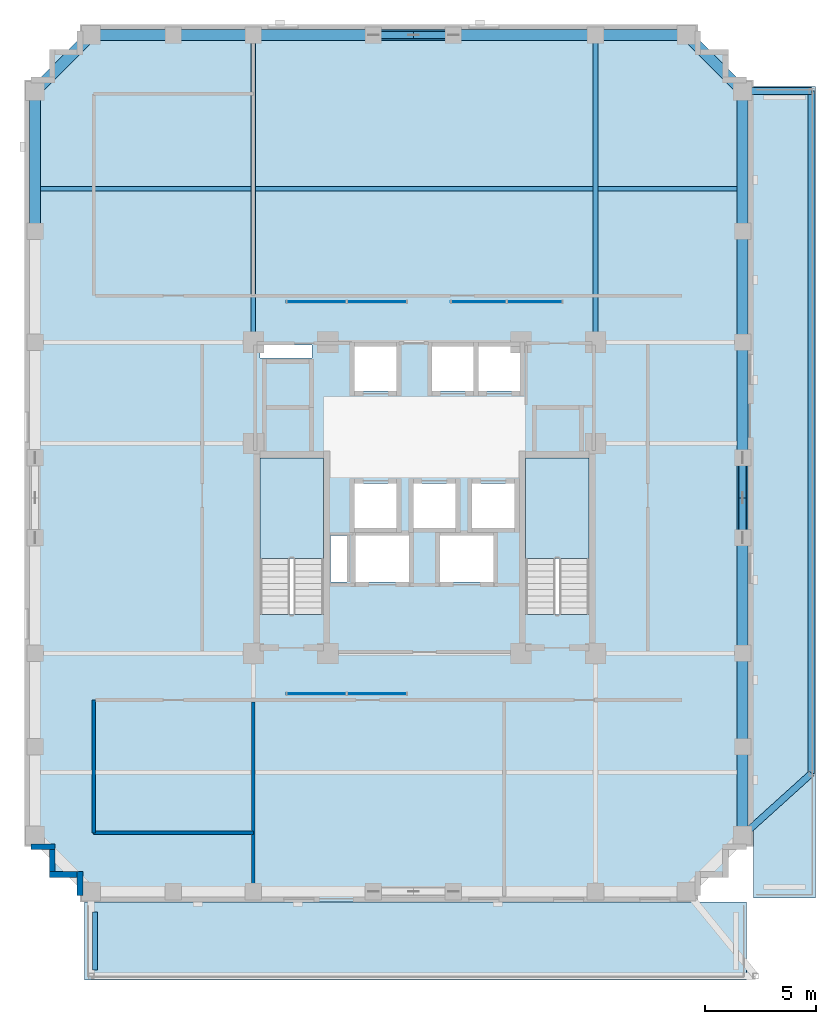
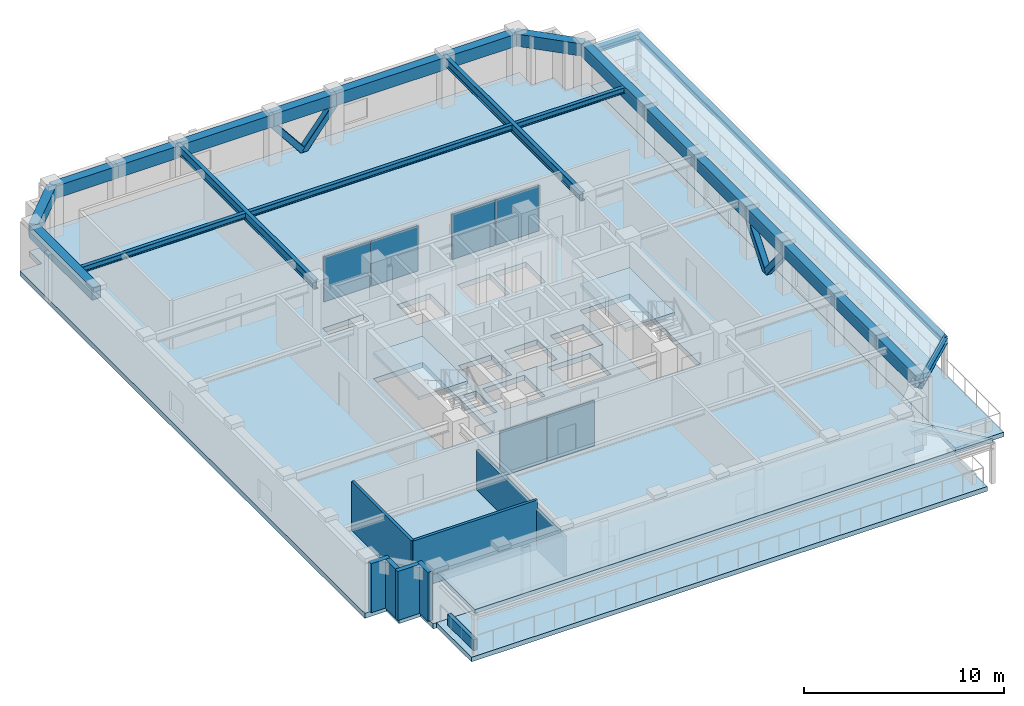
# One storey, part 7 of 15: 24 beams, 8 walls, 7 slabs, 6 plates, 4 members, 5 elements without a shape of their own.
"""IFC4 building model written with IfcOpenShell, lengths in metres."""

from ifc_helpers import new_model, si_unit, derived_unit, direction, frame, frame_2d, origin, origin_2d, place, context, subcontext, project, spatial, polyline, rectangle, hollow_rectangle, i_section, outline, extrude, material, layer, layer_set, material_profile, profile_set, type_object, element, aggregate, save


model = new_model("IFC4")

# Units and contexts
model_context = context("Model", 3, precision=1e-05, world=origin(), true_north=direction((0.0, 1.0)))
body_context = subcontext(model_context, "Body", "Model", "MODEL_VIEW")
ifc_project = project(units=[si_unit("LENGTHUNIT", "METRE"), si_unit("AREAUNIT", "SQUARE_METRE"), si_unit("VOLUMEUNIT", "CUBIC_METRE"), si_unit("PLANEANGLEUNIT", "RADIAN"), si_unit("MASSUNIT", "GRAM", prefix="KILO"), derived_unit("THERMALTRANSMITTANCEUNIT", [(si_unit("MASSUNIT", "GRAM", prefix="KILO"), 1), (si_unit("TIMEUNIT", "SECOND"), -3), (si_unit("THERMODYNAMICTEMPERATUREUNIT", "KELVIN"), -1)])], contexts=[model_context])

# Site, building, storey
site_placement = place(None, origin())
site = spatial("IfcSite", under=ifc_project, at=site_placement, CompositionType="ELEMENT")
building_placement = place(site_placement, origin())
building = spatial("IfcBuilding", under=site, at=building_placement, Name="Korrvale Station Residences", CompositionType="ELEMENT")
storey_placement = place(building_placement, frame((0.0, 0.0, 124.39990234375)))
storey = spatial("IfcBuildingStorey", under=building, at=storey_placement, Name="L35", CompositionType="ELEMENT", Elevation=124.39990234375)

# Beams
ifc_material_1 = material(Name="Steel S355", Category="steel")
ifc_material_profile_1 = material_profile(ifc_material_1, i_section(OverallWidth=0.214111328125, OverallDepth=0.549072265625, WebThickness=0.0146484375, FlangeThickness=0.023681640625, FilletRadius=0.01806640625, at=origin_2d()), Name="W530x138")
ifc_profile_set_1 = profile_set([ifc_material_profile_1], Name="Steel S355")
beam_type_1 = type_object("IfcBeamType", Name="BM-BM-W530x138-S355", PredefinedType="BEAM", material=ifc_profile_set_1)
for number, where, z_axis, x_axis, name in (
    (1, (17.800048828125, 29.0, 2.715576171875), (0.0, 1.0, 0.0), (-1.0, 0.0, 0.0), "L35 Bundled-Tube Web Girder 03"),
    (2, (33.199951171875, 29.0, 2.715576171875), (0.0, 1.0, 0.0), (-1.0, 0.0, 0.0), "L35 Bundled-Tube Web Girder 04"),
):
    element("IfcBeam", number, at=place(storey_placement, frame(where, z_axis=z_axis, x_axis=x_axis)), inside=storey, type_object=beam_type_1, Name=name, PredefinedType="BEAM", context=body_context, shape_type="SweptSolid", body=[
        extrude(i_section(OverallWidth=0.214111328125, OverallDepth=0.549072265625, WebThickness=0.0146484375, FlangeThickness=0.023681640625, FilletRadius=0.01806640625, at=origin_2d()), origin(), (0.0, 0.0, 1.0), 13.820068359375),
    ])
ifc_material_profile_2 = material_profile(ifc_material_1, i_section(OverallWidth=0.205078125, OverallDepth=0.35400390625, WebThickness=0.009521484375, FlangeThickness=0.016845703125, FilletRadius=0.014892578125, at=origin_2d()), Name="W360x79")
ifc_profile_set_2 = profile_set([ifc_material_profile_2], Name="Steel S355")
beam_type_2 = type_object("IfcBeamType", Name="BM-JST-W360x79-S355", PredefinedType="JOIST", material=ifc_profile_set_2)
beam_1_placement = place(storey_placement, frame((8.22998046875, 35.909912109375, 2.81298828125), z_axis=(1.0, 0.0, 0.0), x_axis=(0.0, 1.0, 0.0)))
element("IfcBeam", 3, at=beam_1_placement, inside=storey, type_object=beam_type_2, Name="L35 Floor Framing Joist 04", PredefinedType="JOIST", context=body_context, shape_type="SweptSolid", body=[
    extrude(i_section(OverallWidth=0.205078125, OverallDepth=0.35400390625, WebThickness=0.009521484375, FlangeThickness=0.016845703125, FilletRadius=0.014892578125, at=origin_2d()), origin(), (0.0, 0.0, 1.0), 9.463134765625),
])
beam_2_placement = place(storey_placement, frame((17.906982421875, 35.909912109375, 2.81298828125), z_axis=(1.0, 0.0, 0.0), x_axis=(0.0, 1.0, 0.0)))
element("IfcBeam", 4, at=beam_2_placement, inside=storey, type_object=beam_type_2, Name="L35 Floor Framing Joist 05", PredefinedType="JOIST", context=body_context, shape_type="SweptSolid", body=[
    extrude(i_section(OverallWidth=0.205078125, OverallDepth=0.35400390625, WebThickness=0.009521484375, FlangeThickness=0.016845703125, FilletRadius=0.014892578125, at=origin_2d()), origin(), (0.0, 0.0, 1.0), 15.18603515625),
])
beam_3_placement = place(storey_placement, frame((33.306884765625, 35.909912109375, 2.81298828125), z_axis=(1.0, 0.0, 0.0), x_axis=(0.0, 1.0, 0.0)))
element("IfcBeam", 5, at=beam_3_placement, inside=storey, type_object=beam_type_2, Name="L35 Floor Framing Joist 06", PredefinedType="JOIST", context=body_context, shape_type="SweptSolid", body=[
    extrude(i_section(OverallWidth=0.205078125, OverallDepth=0.35400390625, WebThickness=0.009521484375, FlangeThickness=0.016845703125, FilletRadius=0.014892578125, at=origin_2d()), origin(), (0.0, 0.0, 1.0), 6.26318359375),
])
ifc_material_2 = material(Name="Concrete C60/75", Category="concrete")
ifc_material_profile_3 = material_profile(ifc_material_2, rectangle(XDim=0.5, YDim=0.75, at=origin_2d()), Name="RCB500x750")
ifc_profile_set_3 = profile_set([ifc_material_profile_3], Name="Concrete C60/75")
beam_type_3 = type_object("IfcBeamType", Name="BM-SPB-RCB500x750-C6075", PredefinedType="SPANDREL", material=ifc_profile_set_3)
beam_4_placement = place(storey_placement, frame((10.5, 42.820068359375, 2.614990234375), z_axis=(1.0, 0.0, 0.0), x_axis=(0.0, 1.0, 0.0)))
element("IfcBeam", 6, at=beam_4_placement, inside=storey, type_object=beam_type_3, Name="L35 North Tube Spandrel 07", PredefinedType="SPANDREL", context=body_context, shape_type="SweptSolid", body=[
    extrude(rectangle(XDim=0.5, YDim=0.75, at=origin_2d()), origin(), (0.0, 0.0, 1.0), 3.699951171875),
])
beam_5_placement = place(storey_placement, frame((14.199951171875, 42.820068359375, 2.614990234375), z_axis=(1.0, 0.0, 0.0), x_axis=(0.0, 1.0, 0.0)))
element("IfcBeam", 7, at=beam_5_placement, inside=storey, type_object=beam_type_3, Name="L35 North Tube Spandrel 08", PredefinedType="SPANDREL", context=body_context, shape_type="SweptSolid", body=[
    extrude(rectangle(XDim=0.5, YDim=0.75, at=origin_2d()), origin(), (0.0, 0.0, 1.0), 3.60009765625),
])
beam_6_placement = place(storey_placement, frame((17.800048828125, 42.820068359375, 2.614990234375), z_axis=(1.0, 0.0, 0.0), x_axis=(0.0, 1.0, 0.0)))
element("IfcBeam", 8, at=beam_6_placement, inside=storey, type_object=beam_type_3, Name="L35 North Tube Spandrel 09", PredefinedType="SPANDREL", context=body_context, shape_type="SweptSolid", body=[
    extrude(rectangle(XDim=0.5, YDim=0.75, at=origin_2d()), origin(), (0.0, 0.0, 1.0), 5.39990234375),
])
beam_7_placement = place(storey_placement, frame((23.199951171875, 42.820068359375, 2.614990234375), z_axis=(1.0, 0.0, 0.0), x_axis=(0.0, 1.0, 0.0)))
element("IfcBeam", 9, at=beam_7_placement, inside=storey, type_object=beam_type_3, Name="L35 North Tube Spandrel 10", PredefinedType="SPANDREL", context=body_context, shape_type="SweptSolid", body=[
    extrude(rectangle(XDim=0.5, YDim=0.75, at=origin_2d()), origin(), (0.0, 0.0, 1.0), 3.60009765625),
])
beam_8_placement = place(storey_placement, frame((26.800048828125, 42.820068359375, 2.614990234375), z_axis=(1.0, 0.0, 0.0), x_axis=(0.0, 1.0, 0.0)))
element("IfcBeam", 10, at=beam_8_placement, inside=storey, type_object=beam_type_3, Name="L35 North Tube Spandrel 11", PredefinedType="SPANDREL", context=body_context, shape_type="SweptSolid", body=[
    extrude(rectangle(XDim=0.5, YDim=0.75, at=origin_2d()), origin(), (0.0, 0.0, 1.0), 6.39990234375),
])
beam_9_placement = place(storey_placement, frame((33.199951171875, 42.820068359375, 2.614990234375), z_axis=(1.0, 0.0, 0.0), x_axis=(0.0, 1.0, 0.0)))
element("IfcBeam", 11, at=beam_9_placement, inside=storey, type_object=beam_type_3, Name="L35 North Tube Spandrel 12", PredefinedType="SPANDREL", context=body_context, shape_type="SweptSolid", body=[
    extrude(rectangle(XDim=0.5, YDim=0.75, at=origin_2d()), origin(), (0.0, 0.0, 1.0), 4.10009765625),
])
beam_10_placement = place(storey_placement, frame((7.97998046875, 34.0, 2.614990234375), z_axis=(0.0, 1.0, 0.0), x_axis=(-1.0, 0.0, 0.0)))
element("IfcBeam", 12, at=beam_10_placement, inside=storey, type_object=beam_type_3, Name="L35 West Tube Spandrel 19", PredefinedType="SPANDREL", context=body_context, shape_type="SweptSolid", body=[
    extrude(rectangle(XDim=0.5, YDim=0.75, at=origin_2d()), origin(), (0.0, 0.0, 1.0), 6.300048828125),
])
beam_11_placement = place(storey_placement, frame((39.820068359375, 6.800048828125, 2.614990234375), z_axis=(0.0, 1.0, 0.0), x_axis=(-1.0, 0.0, 0.0)))
element("IfcBeam", 13, at=beam_11_placement, inside=storey, type_object=beam_type_3, Name="L35 East Tube Spandrel 20", PredefinedType="SPANDREL", context=body_context, shape_type="SweptSolid", body=[
    extrude(rectangle(XDim=0.5, YDim=0.75, at=origin_2d()), origin(), (0.0, 0.0, 1.0), 4.0),
])
beam_12_placement = place(storey_placement, frame((39.820068359375, 10.800048828125, 2.614990234375), z_axis=(0.0, 1.0, 0.0), x_axis=(-1.0, 0.0, 0.0)))
element("IfcBeam", 14, at=beam_12_placement, inside=storey, type_object=beam_type_3, Name="L35 East Tube Spandrel 21", PredefinedType="SPANDREL", context=body_context, shape_type="SweptSolid", body=[
    extrude(rectangle(XDim=0.5, YDim=0.75, at=origin_2d()), origin(), (0.0, 0.0, 1.0), 4.199951171875),
])
beam_13_placement = place(storey_placement, frame((39.820068359375, 15.0, 2.614990234375), z_axis=(0.0, 1.0, 0.0), x_axis=(-1.0, 0.0, 0.0)))
element("IfcBeam", 15, at=beam_13_placement, inside=storey, type_object=beam_type_3, Name="L35 East Tube Spandrel 22", PredefinedType="SPANDREL", context=body_context, shape_type="SweptSolid", body=[
    extrude(rectangle(XDim=0.5, YDim=0.75, at=origin_2d()), origin(), (0.0, 0.0, 1.0), 5.199951171875),
])
beam_14_placement = place(storey_placement, frame((39.820068359375, 20.199951171875, 2.614990234375), z_axis=(0.0, 1.0, 0.0), x_axis=(-1.0, 0.0, 0.0)))
element("IfcBeam", 16, at=beam_14_placement, inside=storey, type_object=beam_type_3, Name="L35 East Tube Spandrel 23", PredefinedType="SPANDREL", context=body_context, shape_type="SweptSolid", body=[
    extrude(rectangle(XDim=0.5, YDim=0.75, at=origin_2d()), origin(), (0.0, 0.0, 1.0), 3.60009765625),
])
beam_15_placement = place(storey_placement, frame((39.820068359375, 23.800048828125, 2.614990234375), z_axis=(0.0, 1.0, 0.0), x_axis=(-1.0, 0.0, 0.0)))
element("IfcBeam", 17, at=beam_15_placement, inside=storey, type_object=beam_type_3, Name="L35 East Tube Spandrel 24", PredefinedType="SPANDREL", context=body_context, shape_type="SweptSolid", body=[
    extrude(rectangle(XDim=0.5, YDim=0.75, at=origin_2d()), origin(), (0.0, 0.0, 1.0), 5.199951171875),
])
beam_16_placement = place(storey_placement, frame((39.820068359375, 29.0, 2.614990234375), z_axis=(0.0, 1.0, 0.0), x_axis=(-1.0, 0.0, 0.0)))
element("IfcBeam", 18, at=beam_16_placement, inside=storey, type_object=beam_type_3, Name="L35 East Tube Spandrel 25", PredefinedType="SPANDREL", context=body_context, shape_type="SweptSolid", body=[
    extrude(rectangle(XDim=0.5, YDim=0.75, at=origin_2d()), origin(), (0.0, 0.0, 1.0), 5.0),
])
beam_17_placement = place(storey_placement, frame((39.820068359375, 34.0, 2.614990234375), z_axis=(0.0, 1.0, 0.0), x_axis=(-1.0, 0.0, 0.0)))
element("IfcBeam", 19, at=beam_17_placement, inside=storey, type_object=beam_type_3, Name="L35 East Tube Spandrel 26", PredefinedType="SPANDREL", context=body_context, shape_type="SweptSolid", body=[
    extrude(rectangle(XDim=0.5, YDim=0.75, at=origin_2d()), origin(), (0.0, 0.0, 1.0), 6.300048828125),
])
for number, where, z_axis, x_axis, name in (
    (20, (37.300048828125, 42.820068359375, 2.614990234375), (0.707106781187, -0.707106781187, 0.0), (0.707106781187, 0.707106781187, 0.0), "L35 Serrated Corner Spandrel 29"),
    (21, (10.5, 42.820068359375, 2.614990234375), (-0.707106781187, -0.707106781187, 0.0), (0.707106781187, -0.707106781187, 0.0), "L35 Serrated Corner Spandrel 30"),
):
    element("IfcBeam", number, at=place(storey_placement, frame(where, z_axis=z_axis, x_axis=x_axis)), inside=storey, type_object=beam_type_3, Name=name, PredefinedType="SPANDREL", context=body_context, shape_type="SweptSolid", body=[
        extrude(rectangle(XDim=0.5, YDim=0.75, at=origin_2d()), origin(), (0.0, 0.0, 1.0), 3.56396484375),
    ])
ifc_material_profile_4 = material_profile(ifc_material_1, i_section(OverallWidth=0.304931640625, OverallDepth=0.30810546875, WebThickness=0.010009765625, FlangeThickness=0.015380859375, FilletRadius=0.014892578125, at=origin_2d()), Name="W310x97")
ifc_profile_set_4 = profile_set([ifc_material_profile_4], Name="Steel S355")
beam_type_4 = type_object("IfcBeamType", Name="BM-SPB-W310x97-S355", PredefinedType="SPANDREL", material=ifc_profile_set_4)
beam_18_placement = place(storey_placement, frame((42.919921875, 9.60009765625, 2.296142578125), z_axis=(0.0, 1.0, 0.0), x_axis=(-1.0, 0.0, 0.0)))
element("IfcBeam", 22, at=beam_18_placement, inside=storey, type_object=beam_type_4, Name="L35 Setback Canopy Edge Beam 1", PredefinedType="SPANDREL", context=body_context, shape_type="SweptSolid", body=[
    extrude(i_section(OverallWidth=0.304931640625, OverallDepth=0.30810546875, WebThickness=0.010009765625, FlangeThickness=0.015380859375, FilletRadius=0.014892578125, at=origin_2d()), origin(), (0.0, 0.0, 1.0), 30.699951171875),
])
beam_19_placement = place(storey_placement, frame((42.919921875, 9.60009765625, 2.296142578125), z_axis=(-0.742081072837, -0.670310138172, 0.0), x_axis=(0.670310138172, -0.742081072837, 0.0)))
element("IfcBeam", 23, at=beam_19_placement, inside=storey, type_object=beam_type_4, Name="L35 Setback Canopy Edge Beam 2", PredefinedType="SPANDREL", context=body_context, shape_type="SweptSolid", body=[
    extrude(i_section(OverallWidth=0.304931640625, OverallDepth=0.30810546875, WebThickness=0.010009765625, FlangeThickness=0.015380859375, FilletRadius=0.014892578125, at=origin_2d()), origin(), (0.0, 0.0, 1.0), 4.17724609375),
])
beam_20_placement = place(storey_placement, frame((42.919921875, 40.300048828125, 2.296142578125), z_axis=(-1.0, 0.0, 0.0), x_axis=(0.0, -1.0, 0.0)))
element("IfcBeam", 24, at=beam_20_placement, inside=storey, type_object=beam_type_4, Name="L35 Setback Canopy Edge Beam 3", PredefinedType="SPANDREL", context=body_context, shape_type="SweptSolid", body=[
    extrude(i_section(OverallWidth=0.304931640625, OverallDepth=0.30810546875, WebThickness=0.010009765625, FlangeThickness=0.015380859375, FilletRadius=0.014892578125, at=origin_2d()), origin(), (0.0, 0.0, 1.0), 3.099853515625),
])

# Members
ifc_material_profile_5 = material_profile(ifc_material_1, hollow_rectangle(XDim=0.355712890625, YDim=0.355712890625, WallThickness=0.015869140625, InnerFilletRadius=0.015869140625, OuterFilletRadius=0.03173828125, at=origin_2d()), Name="HSS356x356x16")
ifc_profile_set_5 = profile_set([ifc_material_profile_5], Name="Steel S355")
member_type = type_object("IfcMemberType", Name="MBR-BR-HSS356x356x16", PredefinedType="BRACE", material=ifc_profile_set_5)
for number, where, z_axis, x_axis, name in (
    (25, (25.0, 42.820068359375, 0.02001953125), (-0.62640309239, 0.0, 0.779499304582), (0.0, -1.0, 0.0), "L35 N Perimeter Tube Wind Brace 1"),
    (26, (25.0, 42.820068359375, 0.02001953125), (0.62640309239, 0.0, 0.779499304582), (0.0, 1.0, 0.0), "L35 N Perimeter Tube Wind Brace 2"),
    (27, (39.820068359375, 22.0, 0.02001953125), (0.0, -0.62640309239, 0.779499304582), (1.0, 0.0, 0.0), "L35 E Perimeter Tube Wind Brace 1"),
    (28, (39.820068359375, 22.0, 0.02001953125), (0.0, 0.62640309239, 0.779499304582), (-1.0, 0.0, 0.0), "L35 E Perimeter Tube Wind Brace 2"),
):
    element("IfcMember", number, at=place(storey_placement, frame(where, z_axis=z_axis, x_axis=x_axis)), inside=storey, type_object=member_type, Name=name, PredefinedType="BRACE", context=body_context, shape_type="SweptSolid", body=[
        extrude(hollow_rectangle(XDim=0.355712890625, YDim=0.355712890625, WallThickness=0.015869140625, InnerFilletRadius=0.015869140625, OuterFilletRadius=0.03173828125, at=origin_2d()), origin(), (0.0, 0.0, 1.0), 2.87353515625),
    ])

# Curtain wall, plates
ifc_material_3 = material(Name="Unitised thermally broken aluminium curtain wall with triple low-e IGU", Category="aluminium")
curtain_wall_type = type_object("IfcCurtainWallType", Name="CW-SKY-L35", PredefinedType="NOTDEFINED", material=ifc_material_3)
curtain_wall_1_placement = place(storey_placement, origin())
curtain_wall_1 = element("IfcCurtainWall", 29, at=curtain_wall_1_placement, inside=storey, type_object=curtain_wall_type, Name="L35 Curtain Wall CW4-RUN-1", PredefinedType="NOTDEFINED")
ifc_material_4 = material(Name="Triple-glazed low-e argon insulated glass unit", Category="glass")
ifc_layer_1 = layer(ifc_material_4, 0.035888671875, Name="Triple-glazed low-e argon insulated glass unit")
ifc_layer_set_1 = layer_set([ifc_layer_1], Name="Triple-glazed low-e argon insulated glass unit")
plate_type = type_object("IfcPlateType", Name="CW-SKY-L35-P", PredefinedType="CURTAIN_PANEL", material=ifc_layer_set_1)
plate_1_placement = place(storey_placement, frame((20.625, 30.820068359375, 0.02783203125), z_axis=(0.0, 0.0, 1.0), x_axis=(1.0, 0.0, 0.0)))
plate_1 = element("IfcPlate", 30, at=plate_1_placement, type_object=plate_type, Name="CW-SKY-L35 Glazing Panel 1-1", PredefinedType="CURTAIN_PANEL", context=body_context, shape_type="SweptSolid", body=[
    extrude(rectangle(XDim=2.695068359375, YDim=0.035888671875, at=origin_2d()), origin(), (0.0, 0.0, 1.0), 2.764892578125),
])
plate_2_placement = place(storey_placement, frame((23.375, 30.820068359375, 0.02783203125), z_axis=(0.0, 0.0, 1.0), x_axis=(1.0, 0.0, 0.0)))
plate_2 = element("IfcPlate", 31, at=plate_2_placement, type_object=plate_type, Name="CW-SKY-L35 Glazing Panel 2-1", PredefinedType="CURTAIN_PANEL", context=body_context, shape_type="SweptSolid", body=[
    extrude(rectangle(XDim=2.695068359375, YDim=0.035888671875, at=origin_2d()), origin(), (0.0, 0.0, 1.0), 2.764892578125),
])
aggregate(curtain_wall_1, [plate_1, plate_2])

curtain_wall_2_placement = place(storey_placement, origin())
curtain_wall_2 = element("IfcCurtainWall", 32, at=curtain_wall_2_placement, inside=storey, type_object=curtain_wall_type, Name="L35 Curtain Wall CW4-RUN-2", PredefinedType="NOTDEFINED")
plate_3_placement = place(storey_placement, frame((27.925048828125, 30.820068359375, 0.02783203125), z_axis=(0.0, 0.0, 1.0), x_axis=(1.0, 0.0, 0.0)))
plate_3 = element("IfcPlate", 33, at=plate_3_placement, type_object=plate_type, Name="CW-SKY-L35 Glazing Panel 1-1", PredefinedType="CURTAIN_PANEL", context=body_context, shape_type="SweptSolid", body=[
    extrude(rectangle(XDim=2.4951171875, YDim=0.035888671875, at=origin_2d()), origin(), (0.0, 0.0, 1.0), 2.764892578125),
])
plate_4_placement = place(storey_placement, frame((30.47509765625, 30.820068359375, 0.02783203125), z_axis=(0.0, 0.0, 1.0), x_axis=(1.0, 0.0, 0.0)))
plate_4 = element("IfcPlate", 34, at=plate_4_placement, type_object=plate_type, Name="CW-SKY-L35 Glazing Panel 2-1", PredefinedType="CURTAIN_PANEL", context=body_context, shape_type="SweptSolid", body=[
    extrude(rectangle(XDim=2.4951171875, YDim=0.035888671875, at=origin_2d()), origin(), (0.0, 0.0, 1.0), 2.764892578125),
])
aggregate(curtain_wall_2, [plate_3, plate_4])

curtain_wall_3_placement = place(storey_placement, origin())
curtain_wall_3 = element("IfcCurtainWall", 35, at=curtain_wall_3_placement, inside=storey, type_object=curtain_wall_type, Name="L35 Curtain Wall CW4-RUN-3", PredefinedType="NOTDEFINED")
plate_5_placement = place(storey_placement, frame((20.625, 13.179931640625, 0.02783203125), z_axis=(0.0, 0.0, 1.0), x_axis=(1.0, 0.0, 0.0)))
plate_5 = element("IfcPlate", 36, at=plate_5_placement, type_object=plate_type, Name="CW-SKY-L35 Glazing Panel 1-1", PredefinedType="CURTAIN_PANEL", context=body_context, shape_type="SweptSolid", body=[
    extrude(rectangle(XDim=2.695068359375, YDim=0.035888671875, at=origin_2d()), origin(), (0.0, 0.0, 1.0), 2.764892578125),
])
plate_6_placement = place(storey_placement, frame((23.375, 13.179931640625, 0.02783203125), z_axis=(0.0, 0.0, 1.0), x_axis=(1.0, 0.0, 0.0)))
plate_6 = element("IfcPlate", 37, at=plate_6_placement, type_object=plate_type, Name="CW-SKY-L35 Glazing Panel 2-1", PredefinedType="CURTAIN_PANEL", context=body_context, shape_type="SweptSolid", body=[
    extrude(rectangle(XDim=2.695068359375, YDim=0.035888671875, at=origin_2d()), origin(), (0.0, 0.0, 1.0), 2.764892578125),
])
aggregate(curtain_wall_3, [plate_5, plate_6])

# Slab
ifc_material_5 = material(Name="Concrete C50/60", Category="concrete")
ifc_layer_2 = layer(ifc_material_5, 0.320068359375, Name="Concrete C50/60")
ifc_layer_set_2 = layer_set([ifc_layer_2], Name="Concrete C50/60")
slab_type_1 = type_object("IfcSlabType", Name="SLB-FLR-320", PredefinedType="FLOOR", material=ifc_layer_set_2)
slab_1_placement = place(storey_placement, frame((0.0, 0.0, -0.31982421875)))
element("IfcSlab", 38, at=slab_1_placement, inside=storey, type_object=slab_type_1, Name="L35 Suspended Structural Floor Slab", PredefinedType="FLOOR", context=body_context, shape_type="SweptSolid", body=[
    extrude(outline(polyline([(10.0, 3.800048828125), (37.800048828125, 3.800048828125), (37.800048828125, 5.050048828125), (39.050048828125, 5.050048828125), (39.050048828125, 6.300048828125), (40.300048828125, 6.300048828125), (40.300048828125, 40.800048828125), (39.050048828125, 40.800048828125), (39.050048828125, 42.050048828125), (37.800048828125, 42.050048828125), (37.800048828125, 43.300048828125), (10.0, 43.300048828125), (10.0, 42.050048828125), (8.75, 42.050048828125), (8.75, 40.800048828125), (7.5, 40.800048828125), (7.5, 6.300048828125), (8.75, 6.300048828125), (8.75, 5.050048828125), (10.0, 5.050048828125), (10.0, 3.800048828125)]), holes=[polyline([(20.949951171875, 16.751953125), (20.949951171875, 23.800048828125), (18.10009765625, 23.800048828125), (18.10009765625, 16.751953125), (20.949951171875, 16.751953125)]), polyline([(32.89990234375, 16.751953125), (32.89990234375, 23.800048828125), (30.050048828125, 23.800048828125), (30.050048828125, 16.751953125), (32.89990234375, 16.751953125)]), polyline([(22.35009765625, 26.800048828125), (24.25, 26.800048828125), (24.25, 28.800048828125), (22.35009765625, 28.800048828125), (22.35009765625, 26.800048828125)]), polyline([(25.85009765625, 26.800048828125), (27.7099609375, 26.800048828125), (27.7099609375, 28.800048828125), (25.85009765625, 28.800048828125), (25.85009765625, 26.800048828125)]), polyline([(27.929931640625, 26.800048828125), (29.7900390625, 26.800048828125), (29.7900390625, 28.800048828125), (27.929931640625, 28.800048828125), (27.929931640625, 26.800048828125)]), polyline([(22.35009765625, 20.64990234375), (24.25, 20.64990234375), (24.25, 22.64990234375), (22.35009765625, 22.64990234375), (22.35009765625, 20.64990234375)]), polyline([(25.0, 20.64990234375), (26.89990234375, 20.64990234375), (26.89990234375, 22.64990234375), (25.0, 22.64990234375), (25.0, 20.64990234375)]), polyline([(27.64990234375, 20.64990234375), (29.550048828125, 20.64990234375), (29.550048828125, 22.64990234375), (27.64990234375, 22.64990234375), (27.64990234375, 20.64990234375)]), polyline([(22.39990234375, 18.199951171875), (24.800048828125, 18.199951171875), (24.800048828125, 20.300048828125), (22.39990234375, 20.300048828125), (22.39990234375, 18.199951171875)]), polyline([(26.199951171875, 18.199951171875), (28.60009765625, 18.199951171875), (28.60009765625, 20.300048828125), (26.199951171875, 20.300048828125), (26.199951171875, 18.199951171875)]), polyline([(18.10009765625, 28.280029296875), (20.449951171875, 28.280029296875), (20.449951171875, 28.8798828125), (18.10009765625, 28.8798828125), (18.10009765625, 28.280029296875)]), polyline([(21.280029296875, 18.199951171875), (22.02001953125, 18.199951171875), (22.02001953125, 20.300048828125), (21.280029296875, 20.300048828125), (21.280029296875, 18.199951171875)])]), origin(), (0.0, 0.0, 1.0), 0.31982421875),
])

# Stair, slab
stair_type = type_object("IfcStairType", Name="STR-DL-1350-20R-1625", PredefinedType="HALF_TURN_STAIR", material=ifc_material_5)
stair_1_placement = place(storey_placement, origin())
stair_1 = element("IfcStair", 39, at=stair_1_placement, inside=storey, type_object=stair_type, Name="L35 Exit Stair 1", PredefinedType="HALF_TURN_STAIR")
ifc_layer_3 = layer(ifc_material_5, 0.199951171875, Name="Concrete C50/60")
ifc_layer_set_3 = layer_set([ifc_layer_3], Name="Concrete C50/60")
slab_type_2 = type_object("IfcSlabType", Name="SLB-LND-200", PredefinedType="LANDING", material=ifc_layer_set_3)
slab_2_placement = place(storey_placement, frame((0.0, 0.0, 1.425048828125)))
slab_2 = element("IfcSlab", 40, at=slab_2_placement, type_object=slab_type_2, Name="ST-1 landing 1", PredefinedType="LANDING", context=body_context, shape_type="SweptSolid", body=[
    extrude(outline(polyline([(20.949951171875, 19.27001953125), (20.949951171875, 23.800048828125), (18.10009765625, 23.800048828125), (18.10009765625, 19.27001953125), (20.949951171875, 19.27001953125)])), origin(), (0.0, 0.0, 1.0), 0.199951171875),
])
aggregate(stair_1, [slab_2])

stair_2_placement = place(storey_placement, origin())
stair_2 = element("IfcStair", 41, at=stair_2_placement, inside=storey, type_object=stair_type, Name="L35 Exit Stair 2", PredefinedType="HALF_TURN_STAIR")
slab_3_placement = place(storey_placement, frame((0.0, 0.0, 1.425048828125)))
slab_3 = element("IfcSlab", 42, at=slab_3_placement, type_object=slab_type_2, Name="ST-2 landing 1", PredefinedType="LANDING", context=body_context, shape_type="SweptSolid", body=[
    extrude(outline(polyline([(32.89990234375, 19.27001953125), (32.89990234375, 23.800048828125), (30.050048828125, 23.800048828125), (30.050048828125, 19.27001953125), (32.89990234375, 19.27001953125)])), origin(), (0.0, 0.0, 1.0), 0.199951171875),
])
aggregate(stair_2, [slab_3])

# Slabs
ifc_layer_4 = layer(ifc_material_5, 0.300048828125, Name="Concrete C50/60")
ifc_layer_set_4 = layer_set([ifc_layer_4], Name="Concrete C50/60")
slab_type_3 = type_object("IfcSlabType", Name="SLB-ROOF-300", PredefinedType="ROOF", material=ifc_layer_set_4)
slab_4_placement = place(storey_placement, frame((0.0, 0.0, 2.4501953125)))
element("IfcSlab", 43, at=slab_4_placement, inside=storey, type_object=slab_type_3, Name="L35 Frame-Carried Setback Terrace Roof Deck TER-L35-S", PredefinedType="ROOF", context=body_context, shape_type="SweptSolid", body=[
    extrude(outline(polyline([(10.5, 0.47998046875), (40.39990234375, 0.47998046875), (37.300048828125, 4.280029296875), (10.5, 4.280029296875), (10.5, 0.47998046875)])), origin(), (0.0, 0.0, 1.0), 0.25),
])
slab_5_placement = place(storey_placement, frame((0.0, 0.0, 2.4501953125)))
element("IfcSlab", 44, at=slab_5_placement, inside=storey, type_object=slab_type_3, Name="L35 Frame-Carried Setback Terrace Roof Deck TER-L35-E", PredefinedType="ROOF", context=body_context, shape_type="SweptSolid", body=[
    extrude(outline(polyline([(42.919921875, 9.60009765625), (42.919921875, 40.300048828125), (39.820068359375, 40.300048828125), (39.820068359375, 6.800048828125), (42.919921875, 9.60009765625)])), origin(), (0.0, 0.0, 1.0), 0.25),
])
ifc_layer_5 = layer(ifc_material_5, 0.280029296875, Name="Concrete C50/60")
ifc_layer_set_5 = layer_set([ifc_layer_5], Name="Concrete C50/60")
slab_type_4 = type_object("IfcSlabType", Name="SLB-TER-280", PredefinedType="FLOOR", material=ifc_layer_set_5)
slab_6_placement = place(storey_placement, frame((0.0, 0.0, -0.27978515625)))
element("IfcSlab", 45, at=slab_6_placement, inside=storey, type_object=slab_type_4, Name="L35 Outdoor Setback Terrace Slab TER-L35-S", PredefinedType="FLOOR", context=body_context, shape_type="SweptSolid", body=[
    extrude(outline(polyline([(10.199951171875, 0.300048828125), (40.0, 0.300048828125), (40.0, 3.800048828125), (10.199951171875, 3.800048828125), (10.199951171875, 0.300048828125)])), origin(), (0.0, 0.0, 1.0), 0.27978515625),
])
slab_7_placement = place(storey_placement, frame((0.0, 0.0, -0.27978515625)))
element("IfcSlab", 46, at=slab_7_placement, inside=storey, type_object=slab_type_4, Name="L35 Outdoor Setback Terrace Slab TER-L35-E", PredefinedType="FLOOR", context=body_context, shape_type="SweptSolid", body=[
    extrude(outline(polyline([(40.300048828125, 4.0), (43.10009765625, 4.0), (43.10009765625, 40.5), (40.300048828125, 40.5), (40.300048828125, 4.0)])), origin(), (0.0, 0.0, 1.0), 0.27978515625),
])

# Walls
ifc_material_6 = material(Name="Precast concrete C45/55", Category="concrete")
ifc_layer_6 = layer(ifc_material_6, 0.260009765625, Name="Precast concrete C45/55")
ifc_layer_set_6 = layer_set([ifc_layer_6], Name="Precast concrete C45/55")
wall_type_1 = type_object("IfcWallType", Name="WAL-EXT-LOG260", PredefinedType="SOLIDWALL", material=ifc_layer_set_6)
wall_1_placement = place(storey_placement, frame((10.0, 4.10205078125, 0.0), z_axis=(0.0, 0.0, 1.0), x_axis=(0.0, 1.0, 0.0)))
element("IfcWall", 47, at=wall_1_placement, inside=storey, type_object=wall_type_1, Name="L35 Serrated Corner Precast Step SW-1", PredefinedType="SOLIDWALL", context=body_context, shape_type="SweptSolid", body=[
    extrude(rectangle(XDim=1.077880859375, YDim=0.260009765625, at=frame_2d((0.5390625, 0.0))), origin(), (0.0, 0.0, 1.0), 2.989990234375),
])
wall_2_placement = place(storey_placement, frame((9.867919921875, 5.050048828125, 0.0), z_axis=(0.0, 0.0, 1.0), x_axis=(-1.0, 0.0, 0.0)))
element("IfcWall", 48, at=wall_2_placement, inside=storey, type_object=wall_type_1, Name="L35 Serrated Corner Precast Step SW-2", PredefinedType="SOLIDWALL", context=body_context, shape_type="SweptSolid", body=[
    extrude(rectangle(XDim=1.247802734375, YDim=0.260009765625, at=frame_2d((0.6240234375, 0.0))), origin(), (0.0, 0.0, 1.0), 2.989990234375),
])
wall_3_placement = place(storey_placement, frame((8.75, 5.181884765625, 0.0), z_axis=(0.0, 0.0, 1.0), x_axis=(0.0, 1.0, 0.0)))
element("IfcWall", 49, at=wall_3_placement, inside=storey, type_object=wall_type_1, Name="L35 Serrated Corner Precast Step SW-3", PredefinedType="SOLIDWALL", context=body_context, shape_type="SweptSolid", body=[
    extrude(rectangle(XDim=0.986083984375, YDim=0.260009765625, at=frame_2d((0.4931640625, 0.0))), origin(), (0.0, 0.0, 1.0), 2.989990234375),
])
wall_4_placement = place(storey_placement, frame((8.8798828125, 6.300048828125, 0.0), z_axis=(0.0, 0.0, 1.0), x_axis=(-1.0, 0.0, 0.0)))
element("IfcWall", 50, at=wall_4_placement, inside=storey, type_object=wall_type_1, Name="L35 Serrated Corner Precast Step SW-4", PredefinedType="SOLIDWALL", context=body_context, shape_type="SweptSolid", body=[
    extrude(rectangle(XDim=1.077880859375, YDim=0.260009765625, at=frame_2d((0.5390625, 0.0))), origin(), (0.0, 0.0, 1.0), 2.989990234375),
])
ifc_layer_7 = layer(ifc_material_6, 0.219970703125, Name="Precast concrete C45/55")
ifc_layer_set_7 = layer_set([ifc_layer_7], Name="Precast concrete C45/55")
wall_type_2 = type_object("IfcWallType", Name="WAL-PAR-220", PredefinedType="PARAPET", material=ifc_layer_set_7)
wall_5_placement = place(storey_placement, frame((10.679931640625, 0.75, 0.0), z_axis=(0.0, 0.0, 1.0), x_axis=(0.0, 1.0, 0.0)))
element("IfcWall", 51, at=wall_5_placement, inside=storey, type_object=wall_type_2, Name="L35 Terrace Planter Parapet TER-L35-S-W", PredefinedType="PARAPET", context=body_context, shape_type="SweptSolid", body=[
    extrude(rectangle(XDim=2.60009765625, YDim=0.219970703125, at=frame_2d((1.300048828125, 0.0))), origin(), (0.0, 0.0, 1.0), 0.650146484375),
])
ifc_material_7 = material(Name="Fire-rated twin-stud gypsum and mineral wool shaftwall assembly", Category="gypsum")
ifc_layer_8 = layer(ifc_material_7, 0.159912109375, Name="Fire-rated twin-stud gypsum and mineral wool shaftwall assembly")
ifc_layer_set_8 = layer_set([ifc_layer_8], Name="Fire-rated twin-stud gypsum and mineral wool shaftwall assembly")
wall_type_3 = type_object("IfcWallType", Name="WAL-PART-200", PredefinedType="PARTITIONING", material=ifc_layer_set_8)
wall_6_placement = place(storey_placement, frame((17.800048828125, 4.080078125, 0.0), z_axis=(0.0, 0.0, 1.0), x_axis=(0.0, 1.0, 0.0)))
element("IfcWall", 52, at=wall_6_placement, inside=storey, type_object=wall_type_3, Name="L35 Interior Partition W-SM1", PredefinedType="PARTITIONING", context=body_context, shape_type="SweptSolid", body=[
    extrude(rectangle(XDim=8.739990234375, YDim=0.159912109375, at=frame_2d((4.3701171875, 0.0))), origin(), (0.0, 0.0, 1.0), 2.426025390625),
])
wall_7_placement = place(storey_placement, frame((10.60009765625, 6.919921875, 0.0), z_axis=(0.0, 0.0, 1.0), x_axis=(1.0, 0.0, 0.0)))
element("IfcWall", 53, at=wall_7_placement, inside=storey, type_object=wall_type_3, Name="L35 Interior Partition W-SKT-S", PredefinedType="PARTITIONING", context=body_context, shape_type="SweptSolid", body=[
    extrude(rectangle(XDim=7.199951171875, YDim=0.159912109375, at=frame_2d((3.60009765625, 0.0))), origin(), (0.0, 0.0, 1.0), 2.989990234375),
])
wall_8_placement = place(storey_placement, frame((10.6201171875, 6.919921875, 0.0), z_axis=(0.0, 0.0, 1.0), x_axis=(0.0, 1.0, 0.0)))
element("IfcWall", 54, at=wall_8_placement, inside=storey, type_object=wall_type_3, Name="L35 Interior Partition W-SKT-W", PredefinedType="PARTITIONING", context=body_context, shape_type="SweptSolid", body=[
    extrude(rectangle(XDim=5.97998046875, YDim=0.159912109375, at=frame_2d((2.989990234375, 0.0))), origin(), (0.0, 0.0, 1.0), 2.989990234375),
])

save(model, "model.ifc")
